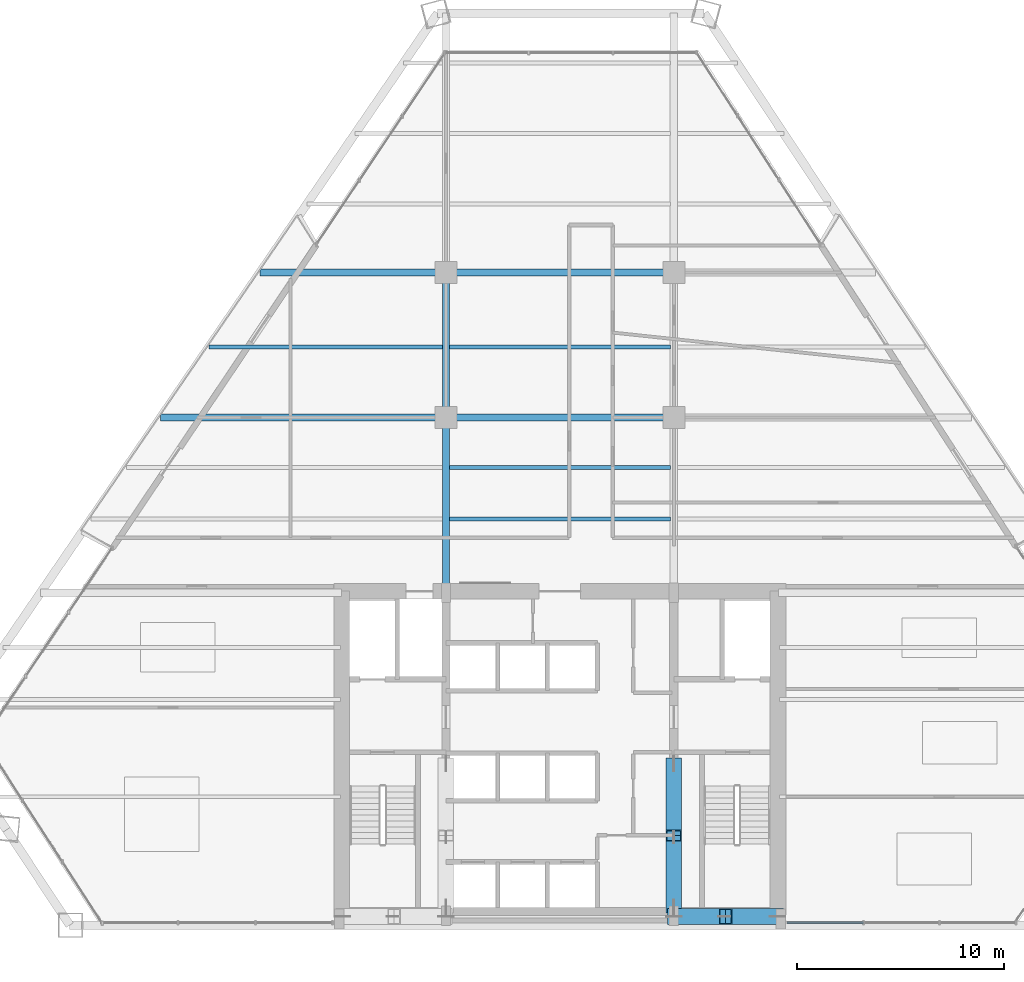
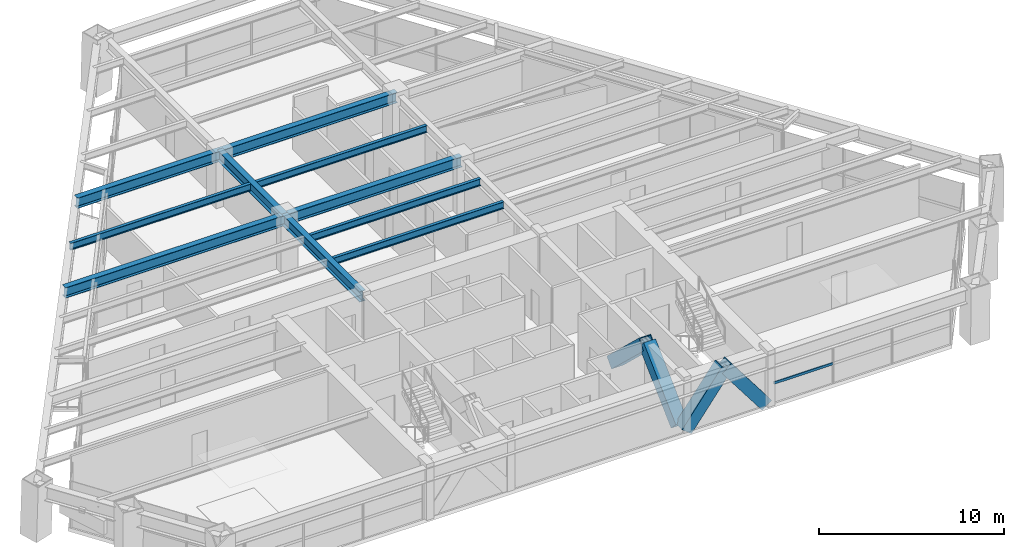
# One storey, part 5 of 14: 10 beams, 5 members, 1 element without a shape of its own.
"""IFC4 building model written with IfcOpenShell, lengths in metres."""

from ifc_helpers import new_model, si_unit, direction, frame, origin, origin_2d, place, context, subcontext, project, spatial, rectangle, hollow_rectangle, i_section, extrude, source, transform, mapped, material, material_profile, profile_set, type_object, type_shapes, element, aggregate, save


model = new_model("IFC4")

# Units and contexts
model_context = context("Model", 3, precision=1e-05, world=origin(), true_north=direction((0.0, 1.0)))
body_context = subcontext(model_context, "Body", "Model", "MODEL_VIEW")
ifc_project = project(units=[si_unit("LENGTHUNIT", "METRE"), si_unit("AREAUNIT", "SQUARE_METRE"), si_unit("VOLUMEUNIT", "CUBIC_METRE"), si_unit("PLANEANGLEUNIT", "RADIAN"), si_unit("MASSUNIT", "GRAM", prefix="KILO")], contexts=[model_context])

# Site, building, storey
site_placement = place(None, origin())
site = spatial("IfcSite", under=ifc_project, at=site_placement, CompositionType="ELEMENT")
building_placement = place(site_placement, origin())
building = spatial("IfcBuilding", under=site, at=building_placement, Name="Varnakhor Terracotta Tower", CompositionType="ELEMENT")
storey_placement = place(building_placement, frame((0.0, 0.0, 95.10009765625)))
storey = spatial("IfcBuildingStorey", under=building, at=storey_placement, Name="L23", CompositionType="ELEMENT", Elevation=95.10009765625)

# Beams
ifc_material_1 = material(Name="Steel S355", Category="steel")
ifc_material_profile_1 = material_profile(ifc_material_1, i_section(OverallWidth=0.35498046875, OverallDepth=0.695068359375, WebThickness=0.014892578125, FlangeThickness=0.02490234375, FilletRadius=0.01806640625, at=origin_2d()), Name="W27X146")
ifc_profile_set_1 = profile_set([ifc_material_profile_1], Name="Steel S355")
beam_type_1 = type_object("IfcBeamType", Name="BM-W27X146", PredefinedType="BEAM", material=ifc_profile_set_1)
shared_shape_1 = source(origin(), body_context, "Body", "SweptSolid", [
    extrude(i_section(OverallWidth=0.35498046875, OverallDepth=0.695068359375, WebThickness=0.014892578125, FlangeThickness=0.02490234375, FilletRadius=0.01806640625, at=origin_2d()), origin(), (0.0, 0.0, 1.0), 8.449951171875),
])
type_shapes(beam_type_1, [shared_shape_1])
beam_1_placement = place(storey_placement, frame((-5.5, 16.050048828125, 3.102294921875), z_axis=(0.0, 1.0, 0.0), x_axis=(-1.0, 0.0, 0.0)))
element("IfcBeam", 1, at=beam_1_placement, inside=storey, type_object=beam_type_1, Name="L23 Primary Girder NS1-W", PredefinedType="BEAM", context=body_context, shape_type="MappedRepresentation", body=[
    mapped(shared_shape_1, transform((0.0, 0.0, 0.0), scale=1.0)),
])
shared_shape_2 = source(origin(), body_context, "Body", "SweptSolid", [
    extrude(i_section(OverallWidth=0.35498046875, OverallDepth=0.695068359375, WebThickness=0.014892578125, FlangeThickness=0.02490234375, FilletRadius=0.01806640625, at=origin_2d()), origin(), (0.0, 0.0, 1.0), 7.0),
])
beam_2_placement = place(storey_placement, frame((-5.5, 24.5, 3.102294921875), z_axis=(0.0, 1.0, 0.0), x_axis=(-1.0, 0.0, 0.0)))
element("IfcBeam", 2, at=beam_2_placement, inside=storey, type_object=beam_type_1, Name="L23 Primary Girder NS2-W", PredefinedType="BEAM", context=body_context, shape_type="MappedRepresentation", body=[
    mapped(shared_shape_2, transform((0.0, 0.0, 0.0), scale=1.0)),
])
shared_shape_3 = source(origin(), body_context, "Body", "SweptSolid", [
    extrude(i_section(OverallWidth=0.35498046875, OverallDepth=0.695068359375, WebThickness=0.014892578125, FlangeThickness=0.02490234375, FilletRadius=0.01806640625, at=origin_2d()), origin(), (0.0, 0.0, 1.0), 11.0),
])
for number, where, z_axis, x_axis, name in (
    (3, (-5.5, 24.5, 3.102294921875), (1.0, 0.0, 0.0), (0.0, 1.0, 0.0), "L23 Primary Girder EW2-2"),
    (4, (-5.5, 31.5, 3.102294921875), (1.0, 0.0, 0.0), (0.0, 1.0, 0.0), "L23 Primary Girder EW3-2"),
):
    element("IfcBeam", number, at=place(storey_placement, frame(where, z_axis=z_axis, x_axis=x_axis)), inside=storey, type_object=beam_type_1, Name=name, PredefinedType="BEAM", context=body_context, shape_type="MappedRepresentation", body=[
        mapped(shared_shape_3, transform((0.0, 0.0, 0.0), scale=1.0)),
    ])
ifc_material_profile_2 = material_profile(ifc_material_1, i_section(OverallWidth=0.19189453125, OverallDepth=0.462890625, WebThickness=0.010498046875, FlangeThickness=0.017578125, FilletRadius=0.01806640625, at=origin_2d()), Name="W18X60")
ifc_profile_set_2 = profile_set([ifc_material_profile_2], Name="Steel S355")
beam_type_2 = type_object("IfcBeamType", Name="JST-W18X60", PredefinedType="JOIST", material=ifc_profile_set_2)
shared_shape_4 = source(origin(), body_context, "Body", "SweptSolid", [
    extrude(i_section(OverallWidth=0.19189453125, OverallDepth=0.462890625, WebThickness=0.010498046875, FlangeThickness=0.017578125, FilletRadius=0.01806640625, at=origin_2d()), origin(), (0.0, 0.0, 1.0), 10.65283203125),
])
for number, where, z_axis, x_axis, name in (
    (5, (-5.326416015625, 19.60009765625, 3.218505859375), (1.0, 0.0, 0.0), (0.0, 1.0, 0.0), "L23 Composite Floor Joist 4-2"),
    (6, (-5.326416015625, 22.10009765625, 3.218505859375), (1.0, 0.0, 0.0), (0.0, 1.0, 0.0), "L23 Composite Floor Joist 5-2"),
    (7, (-5.326416015625, 27.89990234375, 3.218505859375), (1.0, 0.0, 0.0), (0.0, 1.0, 0.0), "L23 Composite Floor Joist 6-2"),
):
    element("IfcBeam", number, at=place(storey_placement, frame(where, z_axis=z_axis, x_axis=x_axis)), inside=storey, type_object=beam_type_2, Name=name, PredefinedType="JOIST", context=body_context, shape_type="MappedRepresentation", body=[
        mapped(shared_shape_4, transform((0.0, 0.0, 0.0), scale=1.0)),
    ])

# Members
ifc_material_2 = material(Name="Steel S460", Category="steel")
ifc_material_profile_3 = material_profile(ifc_material_2, hollow_rectangle(XDim=0.75, YDim=0.75, WallThickness=0.044921875, at=origin_2d()), Name="HSS750X750X45")
ifc_profile_set_3 = profile_set([ifc_material_profile_3], Name="Steel S460")
member_type_1 = type_object("IfcMemberType", Name="MBR-MEGA-750", PredefinedType="BRACE", material=ifc_profile_set_3)
shared_shape_5 = source(origin(), body_context, "Body", "SweptSolid", [
    extrude(hollow_rectangle(XDim=0.75, YDim=0.75, WallThickness=0.044921875, at=origin_2d()), origin(), (0.0, 0.0, 1.0), 4.792236328125),
])
member_1_placement = place(storey_placement, frame((5.5, 7.800048828125, 0.0), z_axis=(0.0, -0.72515968173, 0.688580740359), x_axis=(1.0, 0.0, 0.0)))
element("IfcMember", 8, at=member_1_placement, inside=storey, type_object=member_type_1, Name="L23 Core Coupled Brace CWEB", PredefinedType="BRACE", context=body_context, shape_type="MappedRepresentation", body=[
    mapped(shared_shape_5, transform((0.0, 0.0, 0.0), scale=1.0)),
])
shared_shape_6 = source(origin(), body_context, "Body", "SweptSolid", [
    extrude(hollow_rectangle(XDim=0.75, YDim=0.75, WallThickness=0.044921875, at=origin_2d()), origin(), (0.0, 0.0, 1.0), 4.139892578125),
])
for number, where, z_axis, x_axis, name in (
    (9, (5.5, 0.419921875, 0.0), (0.603880396023, 0.0, 0.797074944594), (0.0, 1.0, 0.0), "L23 Core Coupled Brace CSEA"),
    (10, (10.5, 0.419921875, 0.0), (-0.603880396023, 0.0, 0.797074944594), (0.0, -1.0, 0.0), "L23 Core Coupled Brace CSEB"),
):
    element("IfcMember", number, at=place(storey_placement, frame(where, z_axis=z_axis, x_axis=x_axis)), inside=storey, type_object=member_type_1, Name=name, PredefinedType="BRACE", context=body_context, shape_type="MappedRepresentation", body=[
        mapped(shared_shape_6, transform((0.0, 0.0, 0.0), scale=1.0)),
    ])
shared_shape_7 = source(origin(), body_context, "Body", "SweptSolid", [
    extrude(hollow_rectangle(XDim=0.75, YDim=0.75, WallThickness=0.044921875, at=origin_2d()), origin(), (0.0, 0.0, 1.0), 4.7919921875),
])
member_2_placement = place(storey_placement, frame((5.5, 0.85009765625, 0.0), z_axis=(0.0, 0.725135524869, 0.688606179592), x_axis=(-1.0, 0.0, 0.0)))
element("IfcMember", 11, at=member_2_placement, inside=storey, type_object=member_type_1, Name="L23 Core Coupled Brace CWEA", PredefinedType="BRACE", context=body_context, shape_type="MappedRepresentation", body=[
    mapped(shared_shape_7, transform((0.0, 0.0, 0.0), scale=1.0)),
])

# Beams
shared_shape_8 = source(origin(), body_context, "Body", "SweptSolid", [
    extrude(i_section(OverallWidth=0.35498046875, OverallDepth=0.695068359375, WebThickness=0.014892578125, FlangeThickness=0.02490234375, FilletRadius=0.01806640625, at=origin_2d()), origin(), (0.0, 0.0, 1.0), 13.772216796875),
])
beam_3_placement = place(storey_placement, frame((-19.272216796875, 24.5, 3.102294921875), z_axis=(1.0, 0.0, 0.0), x_axis=(0.0, 1.0, 0.0)))
element("IfcBeam", 12, at=beam_3_placement, inside=storey, type_object=beam_type_1, Name="L23 Primary Girder EW2-1", PredefinedType="BEAM", context=body_context, shape_type="MappedRepresentation", body=[
    mapped(shared_shape_8, transform((0.0, 0.0, 0.0), scale=1.0)),
])
shared_shape_9 = source(origin(), body_context, "Body", "SweptSolid", [
    extrude(i_section(OverallWidth=0.35498046875, OverallDepth=0.695068359375, WebThickness=0.014892578125, FlangeThickness=0.02490234375, FilletRadius=0.01806640625, at=origin_2d()), origin(), (0.0, 0.0, 1.0), 8.974609375),
])
beam_4_placement = place(storey_placement, frame((-14.474609375, 31.5, 3.102294921875), z_axis=(1.0, 0.0, 0.0), x_axis=(0.0, 1.0, 0.0)))
element("IfcBeam", 13, at=beam_4_placement, inside=storey, type_object=beam_type_1, Name="L23 Primary Girder EW3-1", PredefinedType="BEAM", context=body_context, shape_type="MappedRepresentation", body=[
    mapped(shared_shape_9, transform((0.0, 0.0, 0.0), scale=1.0)),
])
shared_shape_10 = source(origin(), body_context, "Body", "SweptSolid", [
    extrude(i_section(OverallWidth=0.19189453125, OverallDepth=0.462890625, WebThickness=0.010498046875, FlangeThickness=0.017578125, FilletRadius=0.01806640625, at=origin_2d()), origin(), (0.0, 0.0, 1.0), 11.268310546875),
])
beam_5_placement = place(storey_placement, frame((-16.94189453125, 27.89990234375, 3.218505859375), z_axis=(1.0, 0.0, 0.0), x_axis=(0.0, 1.0, 0.0)))
element("IfcBeam", 14, at=beam_5_placement, inside=storey, type_object=beam_type_2, Name="L23 Composite Floor Joist 6-1", PredefinedType="JOIST", context=body_context, shape_type="MappedRepresentation", body=[
    mapped(shared_shape_10, transform((0.0, 0.0, 0.0), scale=1.0)),
])

# Curtain wall, member
ifc_material_3 = material(Name="Anodised Aluminium Curtain Wall System", Category="aluminium")
curtain_wall_type = type_object("IfcCurtainWallType", Name="CW-SYS-LOW-OFFICE", PredefinedType="NOTDEFINED", material=ifc_material_3)
curtain_wall_placement = place(storey_placement, origin())
curtain_wall = element("IfcCurtainWall", 15, at=curtain_wall_placement, inside=storey, type_object=curtain_wall_type, Name="L23 South Wing Curtain Wall SSE", PredefinedType="NOTDEFINED")
ifc_material_4 = material(Name="Anodised Aluminium 6063-T6", Category="aluminium")
ifc_material_profile_4 = material_profile(ifc_material_4, rectangle(XDim=0.074951171875, YDim=0.1650390625, at=origin_2d()), Name="ALU TRANSOM 75x165")
ifc_profile_set_4 = profile_set([ifc_material_profile_4], Name="Anodised Aluminium 6063-T6")
member_type_2 = type_object("IfcMemberType", Name="CWT-02", PredefinedType="USERDEFINED", material=ifc_profile_set_4)
shared_shape_11 = source(origin(), body_context, "Body", "SweptSolid", [
    extrude(rectangle(XDim=0.074951171875, YDim=0.1650390625, at=origin_2d()), origin(), (0.0, 0.0, 1.0), 3.677734375),
])
member_3_placement = place(storey_placement, frame((14.647705078125, 0.1201171875, 1.2724609375), z_axis=(-1.0, 0.0, 0.0), x_axis=(0.0, -1.0, 0.0)))
member_3 = element("IfcMember", 16, at=member_3_placement, type_object=member_type_2, Name="L23 South Wing Curtain Wall SSE Transom 3", ObjectType="TRANSOM", PredefinedType="USERDEFINED", context=body_context, shape_type="MappedRepresentation", body=[
    mapped(shared_shape_11, transform((0.0, 0.0, 0.0), scale=1.0)),
])
aggregate(curtain_wall, [member_3])

save(model, "model.ifc")
